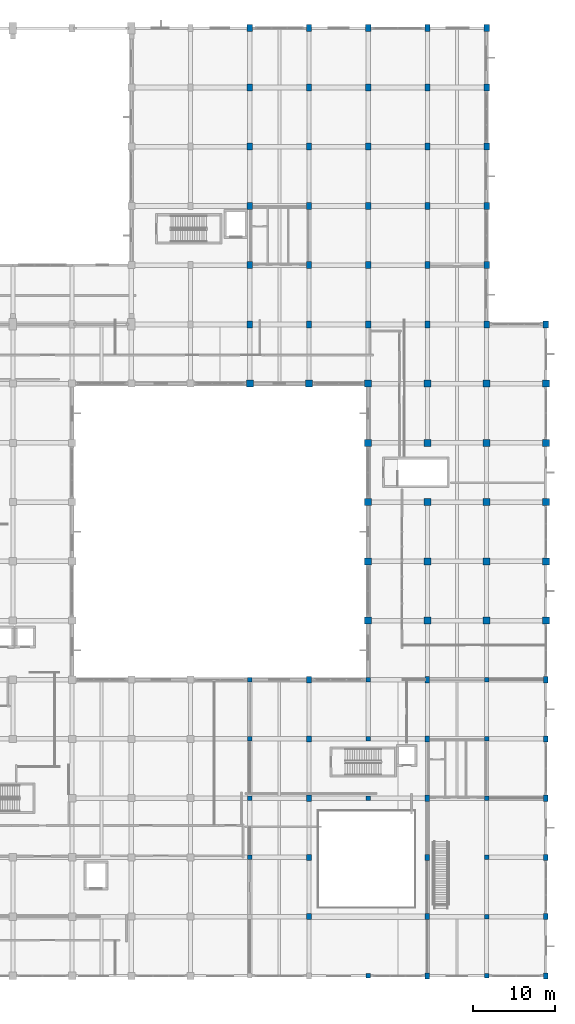
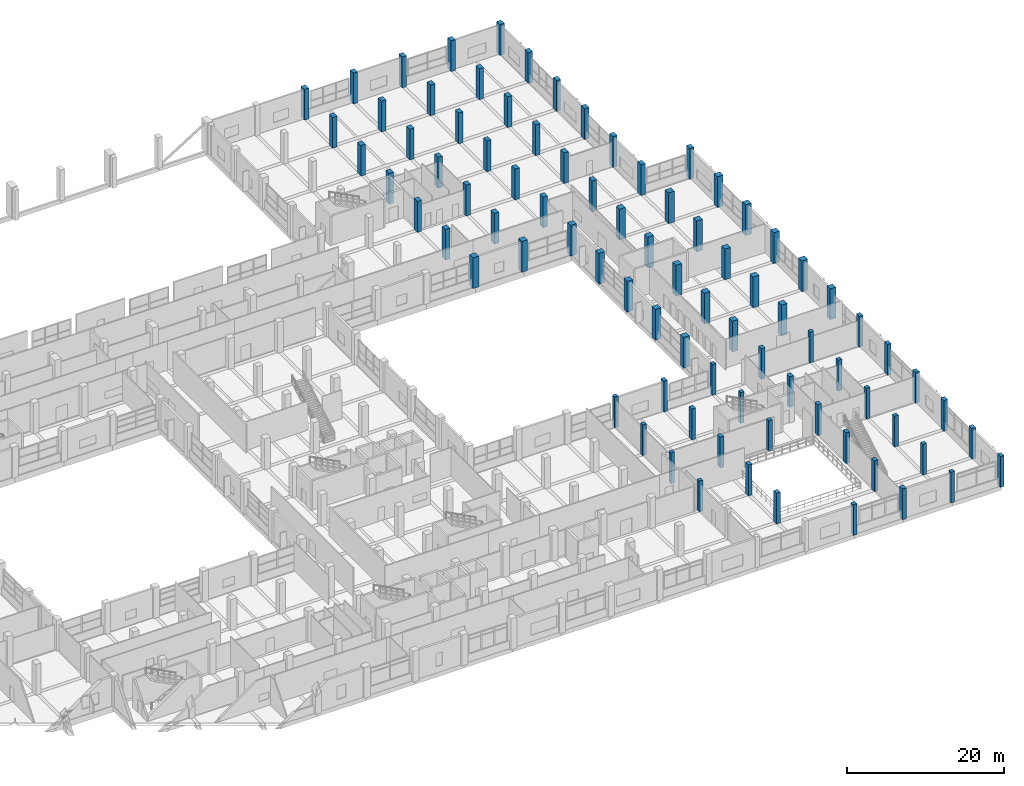
# One storey, part 2 of 181: 84 columns.
"""IFC4 building model written with IfcOpenShell, lengths in metres."""

from ifc_helpers import new_model, si_unit, direction, frame, origin, origin_2d, place, context, subcontext, project, spatial, rectangle, extrude, material, material_profile, profile_set, type_object, element, save


model = new_model("IFC4")

# Units and contexts
model_context = context("Model", 3, precision=1e-05, world=origin(), true_north=direction((0.0, 1.0)))
body_context = subcontext(model_context, "Body", "Model", "MODEL_VIEW")
ifc_project = project(units=[si_unit("LENGTHUNIT", "METRE"), si_unit("AREAUNIT", "SQUARE_METRE"), si_unit("VOLUMEUNIT", "CUBIC_METRE"), si_unit("PLANEANGLEUNIT", "RADIAN"), si_unit("MASSUNIT", "GRAM", prefix="KILO")], contexts=[model_context])

# Site, building, storey
site_placement = place(None, origin())
site = spatial("IfcSite", under=ifc_project, at=site_placement, CompositionType="ELEMENT")
building_placement = place(site_placement, origin())
building = spatial("IfcBuilding", under=site, at=building_placement, Name="Seraya Terrace Polytechnic", CompositionType="ELEMENT")
storey_placement = place(building_placement, frame((0.0, 0.0, 4.800048828125)))
storey = spatial("IfcBuildingStorey", under=building, at=storey_placement, Name="L01", CompositionType="ELEMENT", Elevation=4.800048828125)

# Columns
ifc_material = material(Name="Concrete C40/50", Category="concrete")
ifc_material_profile_1 = material_profile(ifc_material, rectangle(XDim=0.85009765625, YDim=0.85009765625, at=origin_2d()), Name="RC 850x850")
ifc_profile_set_1 = profile_set([ifc_material_profile_1], Name="Concrete C40/50")
column_type_1 = type_object("IfcColumnType", Name="C-04", PredefinedType="COLUMN", material=ifc_profile_set_1)
for number, where, z_axis, x_axis, name in (
    (1, (129.60009765625, 72.0, 0.0), (0.0, 0.0, 1.0), (1.0, 0.0, 0.0), "Column C-04 L01 (129.6, 72.0)"),
    (2, (136.800048828125, 72.0, 0.0), (0.0, 0.0, 1.0), (1.0, 0.0, 0.0), "Column C-04 L01 (136.8, 72.0)"),
    (3, (144.0, 43.199951171875, 0.0), (0.0, 0.0, 1.0), (1.0, 0.0, 0.0), "Column C-04 L01 (144.0, 43.2)"),
    (4, (144.0, 50.39990234375, 0.0), (0.0, 0.0, 1.0), (1.0, 0.0, 0.0), "Column C-04 L01 (144.0, 50.4)"),
    (5, (144.0, 57.60009765625, 0.0), (0.0, 0.0, 1.0), (1.0, 0.0, 0.0), "Column C-04 L01 (144.0, 57.6)"),
    (6, (144.0, 64.800048828125, 0.0), (0.0, 0.0, 1.0), (1.0, 0.0, 0.0), "Column C-04 L01 (144.0, 64.8)"),
    (7, (144.0, 72.0, 0.0), (0.0, 0.0, 1.0), (1.0, 0.0, 0.0), "Column C-04 L01 (144.0, 72.0)"),
    (8, (151.199951171875, 43.199951171875, 0.0), (0.0, 0.0, 1.0), (1.0, 0.0, 0.0), "Column C-04 L01 (151.2, 43.2)"),
    (9, (151.199951171875, 50.39990234375, 0.0), (0.0, 0.0, 1.0), (1.0, 0.0, 0.0), "Column C-04 L01 (151.2, 50.4)"),
    (10, (151.199951171875, 57.60009765625, 0.0), (0.0, 0.0, 1.0), (1.0, 0.0, 0.0), "Column C-04 L01 (151.2, 57.6)"),
    (11, (151.199951171875, 64.800048828125, 0.0), (0.0, 0.0, 1.0), (1.0, 0.0, 0.0), "Column C-04 L01 (151.2, 64.8)"),
    (12, (151.199951171875, 72.0, 0.0), (0.0, 0.0, 1.0), (1.0, 0.0, 0.0), "Column C-04 L01 (151.2, 72.0)"),
    (13, (158.39990234375, 43.199951171875, 0.0), (0.0, 0.0, 1.0), (1.0, 0.0, 0.0), "Column C-04 L01 (158.4, 43.2)"),
    (14, (158.39990234375, 50.39990234375, 0.0), (0.0, 0.0, 1.0), (1.0, 0.0, 0.0), "Column C-04 L01 (158.4, 50.4)"),
    (15, (158.39990234375, 57.60009765625, 0.0), (0.0, 0.0, 1.0), (1.0, 0.0, 0.0), "Column C-04 L01 (158.4, 57.6)"),
    (16, (158.39990234375, 64.800048828125, 0.0), (0.0, 0.0, 1.0), (1.0, 0.0, 0.0), "Column C-04 L01 (158.4, 64.8)"),
    (17, (158.39990234375, 72.0, 0.0), (0.0, 0.0, 1.0), (1.0, 0.0, 0.0), "Column C-04 L01 (158.4, 72.0)"),
    (18, (165.60009765625, 43.199951171875, 0.0), (0.0, 0.0, 1.0), (1.0, 0.0, 0.0), "Column C-04 L01 (165.6, 43.2)"),
    (19, (165.60009765625, 50.39990234375, 0.0), (0.0, 0.0, 1.0), (1.0, 0.0, 0.0), "Column C-04 L01 (165.6, 50.4)"),
    (20, (165.60009765625, 57.60009765625, 0.0), (0.0, 0.0, 1.0), (1.0, 0.0, 0.0), "Column C-04 L01 (165.6, 57.6)"),
    (21, (165.60009765625, 64.800048828125, 0.0), (0.0, 0.0, 1.0), (1.0, 0.0, 0.0), "Column C-04 L01 (165.6, 64.8)"),
    (22, (165.60009765625, 72.0, 0.0), (0.0, 0.0, 1.0), (1.0, 0.0, 0.0), "Column C-04 L01 (165.6, 72.0)"),
):
    element("IfcColumn", number, at=place(storey_placement, frame(where, z_axis=z_axis, x_axis=x_axis)), inside=storey, type_object=column_type_1, Name=name, PredefinedType="COLUMN", context=body_context, shape_type="SweptSolid", body=[
        extrude(rectangle(XDim=0.85009765625, YDim=0.85009765625, at=origin_2d()), origin(), (0.0, 0.0, 1.0), 4.800048828125),
    ])
ifc_material_profile_2 = material_profile(ifc_material, rectangle(XDim=0.550048828125, YDim=0.550048828125, at=origin_2d()), Name="RC 550x550")
ifc_profile_set_2 = profile_set([ifc_material_profile_2], Name="Concrete C40/50")
column_type_2 = type_object("IfcColumnType", Name="C-10", PredefinedType="COLUMN", material=ifc_profile_set_2)
for number, where, z_axis, x_axis, name in (
    (23, (129.60009765625, 14.39990234375, 0.0), (0.0, 0.0, 1.0), (1.0, 0.0, 0.0), "Column C-10 L01 (129.6, 14.4)"),
    (24, (129.60009765625, 21.60009765625, 0.0), (0.0, 0.0, 1.0), (1.0, 0.0, 0.0), "Column C-10 L01 (129.6, 21.6)"),
    (25, (129.60009765625, 28.800048828125, 0.0), (0.0, 0.0, 1.0), (1.0, 0.0, 0.0), "Column C-10 L01 (129.6, 28.8)"),
    (26, (129.60009765625, 36.0, 0.0), (0.0, 0.0, 1.0), (1.0, 0.0, 0.0), "Column C-10 L01 (129.6, 36.0)"),
    (27, (144.0, 0.0, 0.0), (0.0, 0.0, 1.0), (1.0, 0.0, 0.0), "Column C-10 L01 (144.0, 0.0)"),
    (28, (144.0, 21.60009765625, 0.0), (0.0, 0.0, 1.0), (1.0, 0.0, 0.0), "Column C-10 L01 (144.0, 21.6)"),
    (29, (144.0, 28.800048828125, 0.0), (0.0, 0.0, 1.0), (1.0, 0.0, 0.0), "Column C-10 L01 (144.0, 28.8)"),
    (30, (144.0, 36.0, 0.0), (0.0, 0.0, 1.0), (1.0, 0.0, 0.0), "Column C-10 L01 (144.0, 36.0)"),
    (31, (158.39990234375, 0.0, 0.0), (0.0, 0.0, 1.0), (1.0, 0.0, 0.0), "Column C-10 L01 (158.4, 0.0)"),
    (32, (158.39990234375, 7.199951171875, 0.0), (0.0, 0.0, 1.0), (1.0, 0.0, 0.0), "Column C-10 L01 (158.4, 7.2)"),
    (33, (158.39990234375, 14.39990234375, 0.0), (0.0, 0.0, 1.0), (1.0, 0.0, 0.0), "Column C-10 L01 (158.4, 14.4)"),
    (34, (158.39990234375, 21.60009765625, 0.0), (0.0, 0.0, 1.0), (1.0, 0.0, 0.0), "Column C-10 L01 (158.4, 21.6)"),
    (35, (158.39990234375, 28.800048828125, 0.0), (0.0, 0.0, 1.0), (1.0, 0.0, 0.0), "Column C-10 L01 (158.4, 28.8)"),
    (36, (158.39990234375, 36.0, 0.0), (0.0, 0.0, 1.0), (1.0, 0.0, 0.0), "Column C-10 L01 (158.4, 36.0)"),
):
    element("IfcColumn", number, at=place(storey_placement, frame(where, z_axis=z_axis, x_axis=x_axis)), inside=storey, type_object=column_type_2, Name=name, PredefinedType="COLUMN", context=body_context, shape_type="SweptSolid", body=[
        extrude(rectangle(XDim=0.550048828125, YDim=0.550048828125, at=origin_2d()), origin(), (0.0, 0.0, 1.0), 4.800048828125),
    ])
ifc_material_profile_3 = material_profile(ifc_material, rectangle(XDim=0.64990234375, YDim=0.85009765625, at=origin_2d()), Name="RC 650x850")
ifc_profile_set_3 = profile_set([ifc_material_profile_3], Name="Concrete C40/50")
column_type_3 = type_object("IfcColumnType", Name="C-16", PredefinedType="COLUMN", material=ifc_profile_set_3)
for number, where, z_axis, x_axis, name in (
    (37, (129.60009765625, 79.199951171875, 0.0), (0.0, 0.0, 1.0), (1.0, 0.0, 0.0), "Column C-16 L01 (129.6, 79.2)"),
    (38, (129.60009765625, 86.39990234375, 0.0), (0.0, 0.0, 1.0), (1.0, 0.0, 0.0), "Column C-16 L01 (129.6, 86.4)"),
    (39, (129.60009765625, 93.60009765625, 0.0), (0.0, 0.0, 1.0), (1.0, 0.0, 0.0), "Column C-16 L01 (129.6, 93.6)"),
    (40, (129.60009765625, 100.800048828125, 0.0), (0.0, 0.0, 1.0), (1.0, 0.0, 0.0), "Column C-16 L01 (129.6, 100.8)"),
    (41, (129.60009765625, 108.0, 0.0), (0.0, 0.0, 1.0), (1.0, 0.0, 0.0), "Column C-16 L01 (129.6, 108.0)"),
    (42, (129.60009765625, 115.199951171875, 0.0), (0.0, 0.0, 1.0), (1.0, 0.0, 0.0), "Column C-16 L01 (129.6, 115.2)"),
    (43, (136.800048828125, 79.199951171875, 0.0), (0.0, 0.0, 1.0), (1.0, 0.0, 0.0), "Column C-16 L01 (136.8, 79.2)"),
    (44, (136.800048828125, 86.39990234375, 0.0), (0.0, 0.0, 1.0), (1.0, 0.0, 0.0), "Column C-16 L01 (136.8, 86.4)"),
    (45, (136.800048828125, 93.60009765625, 0.0), (0.0, 0.0, 1.0), (1.0, 0.0, 0.0), "Column C-16 L01 (136.8, 93.6)"),
    (46, (136.800048828125, 100.800048828125, 0.0), (0.0, 0.0, 1.0), (1.0, 0.0, 0.0), "Column C-16 L01 (136.8, 100.8)"),
    (47, (136.800048828125, 108.0, 0.0), (0.0, 0.0, 1.0), (1.0, 0.0, 0.0), "Column C-16 L01 (136.8, 108.0)"),
    (48, (136.800048828125, 115.199951171875, 0.0), (0.0, 0.0, 1.0), (1.0, 0.0, 0.0), "Column C-16 L01 (136.8, 115.2)"),
    (49, (144.0, 79.199951171875, 0.0), (0.0, 0.0, 1.0), (1.0, 0.0, 0.0), "Column C-16 L01 (144.0, 79.2)"),
    (50, (144.0, 86.39990234375, 0.0), (0.0, 0.0, 1.0), (1.0, 0.0, 0.0), "Column C-16 L01 (144.0, 86.4)"),
    (51, (144.0, 93.60009765625, 0.0), (0.0, 0.0, 1.0), (1.0, 0.0, 0.0), "Column C-16 L01 (144.0, 93.6)"),
    (52, (144.0, 100.800048828125, 0.0), (0.0, 0.0, 1.0), (1.0, 0.0, 0.0), "Column C-16 L01 (144.0, 100.8)"),
    (53, (144.0, 108.0, 0.0), (0.0, 0.0, 1.0), (1.0, 0.0, 0.0), "Column C-16 L01 (144.0, 108.0)"),
    (54, (144.0, 115.199951171875, 0.0), (0.0, 0.0, 1.0), (1.0, 0.0, 0.0), "Column C-16 L01 (144.0, 115.2)"),
    (55, (151.199951171875, 79.199951171875, 0.0), (0.0, 0.0, 1.0), (1.0, 0.0, 0.0), "Column C-16 L01 (151.2, 79.2)"),
    (56, (151.199951171875, 86.39990234375, 0.0), (0.0, 0.0, 1.0), (1.0, 0.0, 0.0), "Column C-16 L01 (151.2, 86.4)"),
    (57, (151.199951171875, 93.60009765625, 0.0), (0.0, 0.0, 1.0), (1.0, 0.0, 0.0), "Column C-16 L01 (151.2, 93.6)"),
    (58, (151.199951171875, 100.800048828125, 0.0), (0.0, 0.0, 1.0), (1.0, 0.0, 0.0), "Column C-16 L01 (151.2, 100.8)"),
    (59, (151.199951171875, 108.0, 0.0), (0.0, 0.0, 1.0), (1.0, 0.0, 0.0), "Column C-16 L01 (151.2, 108.0)"),
    (60, (151.199951171875, 115.199951171875, 0.0), (0.0, 0.0, 1.0), (1.0, 0.0, 0.0), "Column C-16 L01 (151.2, 115.2)"),
    (61, (158.39990234375, 79.199951171875, 0.0), (0.0, 0.0, 1.0), (1.0, 0.0, 0.0), "Column C-16 L01 (158.4, 79.2)"),
    (62, (158.39990234375, 86.39990234375, 0.0), (0.0, 0.0, 1.0), (1.0, 0.0, 0.0), "Column C-16 L01 (158.4, 86.4)"),
    (63, (158.39990234375, 93.60009765625, 0.0), (0.0, 0.0, 1.0), (1.0, 0.0, 0.0), "Column C-16 L01 (158.4, 93.6)"),
    (64, (158.39990234375, 100.800048828125, 0.0), (0.0, 0.0, 1.0), (1.0, 0.0, 0.0), "Column C-16 L01 (158.4, 100.8)"),
    (65, (158.39990234375, 108.0, 0.0), (0.0, 0.0, 1.0), (1.0, 0.0, 0.0), "Column C-16 L01 (158.4, 108.0)"),
    (66, (158.39990234375, 115.199951171875, 0.0), (0.0, 0.0, 1.0), (1.0, 0.0, 0.0), "Column C-16 L01 (158.4, 115.2)"),
    (67, (165.60009765625, 79.199951171875, 0.0), (0.0, 0.0, 1.0), (1.0, 0.0, 0.0), "Column C-16 L01 (165.6, 79.2)"),
):
    element("IfcColumn", number, at=place(storey_placement, frame(where, z_axis=z_axis, x_axis=x_axis)), inside=storey, type_object=column_type_3, Name=name, PredefinedType="COLUMN", context=body_context, shape_type="SweptSolid", body=[
        extrude(rectangle(XDim=0.64990234375, YDim=0.85009765625, at=origin_2d()), origin(), (0.0, 0.0, 1.0), 4.800048828125),
    ])
ifc_material_profile_4 = material_profile(ifc_material, rectangle(XDim=0.550048828125, YDim=0.75, at=origin_2d()), Name="RC 550x750")
ifc_profile_set_4 = profile_set([ifc_material_profile_4], Name="Concrete C40/50")
column_type_4 = type_object("IfcColumnType", Name="C-17", PredefinedType="COLUMN", material=ifc_profile_set_4)
for number, where, z_axis, x_axis, name in (
    (68, (136.800048828125, 7.199951171875, 0.0), (0.0, 0.0, 1.0), (1.0, 0.0, 0.0), "Column C-17 L01 (136.8, 7.2)"),
    (69, (136.800048828125, 14.39990234375, 0.0), (0.0, 0.0, 1.0), (1.0, 0.0, 0.0), "Column C-17 L01 (136.8, 14.4)"),
    (70, (136.800048828125, 21.60009765625, 0.0), (0.0, 0.0, 1.0), (1.0, 0.0, 0.0), "Column C-17 L01 (136.8, 21.6)"),
    (71, (136.800048828125, 28.800048828125, 0.0), (0.0, 0.0, 1.0), (1.0, 0.0, 0.0), "Column C-17 L01 (136.8, 28.8)"),
    (72, (136.800048828125, 36.0, 0.0), (0.0, 0.0, 1.0), (1.0, 0.0, 0.0), "Column C-17 L01 (136.8, 36.0)"),
    (73, (151.199951171875, 0.0, 0.0), (0.0, 0.0, 1.0), (1.0, 0.0, 0.0), "Column C-17 L01 (151.2, 0.0)"),
    (74, (151.199951171875, 7.199951171875, 0.0), (0.0, 0.0, 1.0), (1.0, 0.0, 0.0), "Column C-17 L01 (151.2, 7.2)"),
    (75, (151.199951171875, 14.39990234375, 0.0), (0.0, 0.0, 1.0), (1.0, 0.0, 0.0), "Column C-17 L01 (151.2, 14.4)"),
    (76, (151.199951171875, 21.60009765625, 0.0), (0.0, 0.0, 1.0), (1.0, 0.0, 0.0), "Column C-17 L01 (151.2, 21.6)"),
    (77, (151.199951171875, 28.800048828125, 0.0), (0.0, 0.0, 1.0), (1.0, 0.0, 0.0), "Column C-17 L01 (151.2, 28.8)"),
    (78, (151.199951171875, 36.0, 0.0), (0.0, 0.0, 1.0), (1.0, 0.0, 0.0), "Column C-17 L01 (151.2, 36.0)"),
    (79, (165.60009765625, 0.0, 0.0), (0.0, 0.0, 1.0), (1.0, 0.0, 0.0), "Column C-17 L01 (165.6, 0.0)"),
    (80, (165.60009765625, 7.199951171875, 0.0), (0.0, 0.0, 1.0), (1.0, 0.0, 0.0), "Column C-17 L01 (165.6, 7.2)"),
    (81, (165.60009765625, 14.39990234375, 0.0), (0.0, 0.0, 1.0), (1.0, 0.0, 0.0), "Column C-17 L01 (165.6, 14.4)"),
    (82, (165.60009765625, 21.60009765625, 0.0), (0.0, 0.0, 1.0), (1.0, 0.0, 0.0), "Column C-17 L01 (165.6, 21.6)"),
    (83, (165.60009765625, 28.800048828125, 0.0), (0.0, 0.0, 1.0), (1.0, 0.0, 0.0), "Column C-17 L01 (165.6, 28.8)"),
    (84, (165.60009765625, 36.0, 0.0), (0.0, 0.0, 1.0), (1.0, 0.0, 0.0), "Column C-17 L01 (165.6, 36.0)"),
):
    element("IfcColumn", number, at=place(storey_placement, frame(where, z_axis=z_axis, x_axis=x_axis)), inside=storey, type_object=column_type_4, Name=name, PredefinedType="COLUMN", context=body_context, shape_type="SweptSolid", body=[
        extrude(rectangle(XDim=0.550048828125, YDim=0.75, at=origin_2d()), origin(), (0.0, 0.0, 1.0), 4.800048828125),
    ])

save(model, "model.ifc")
